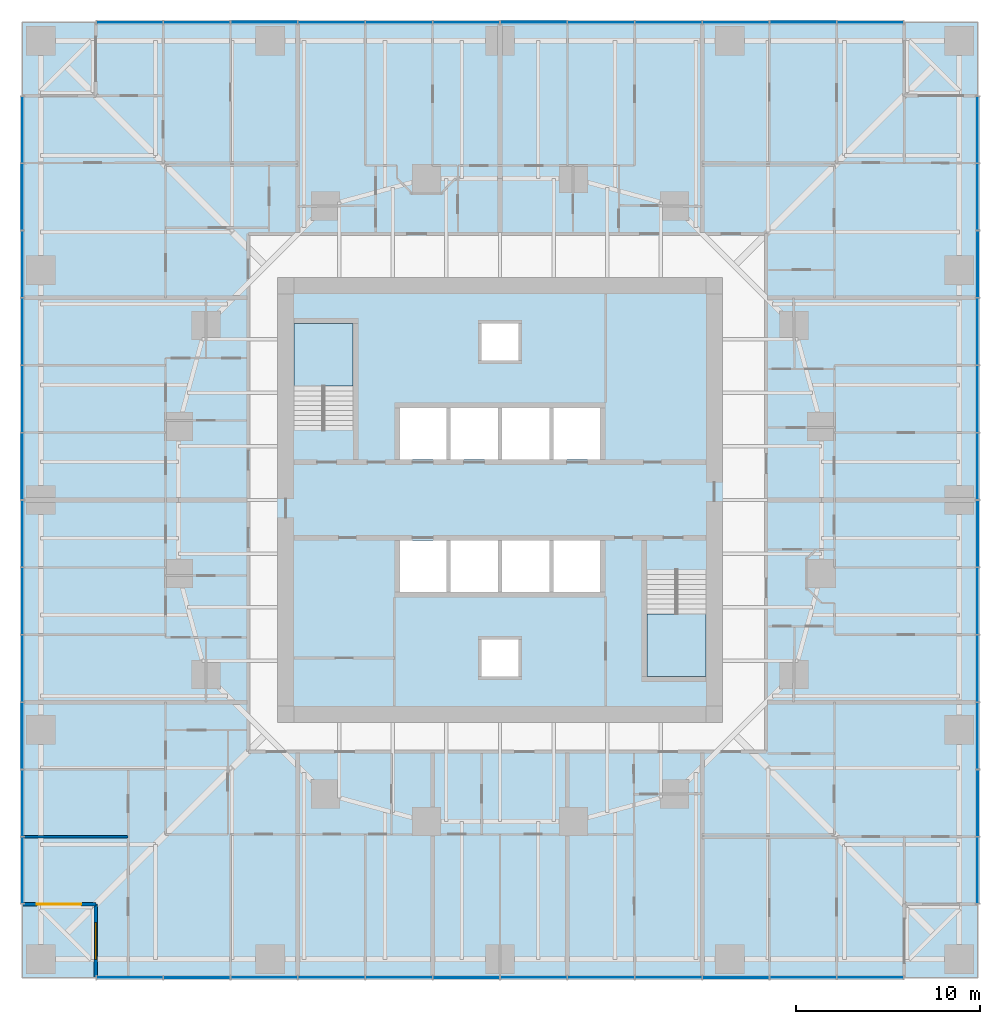
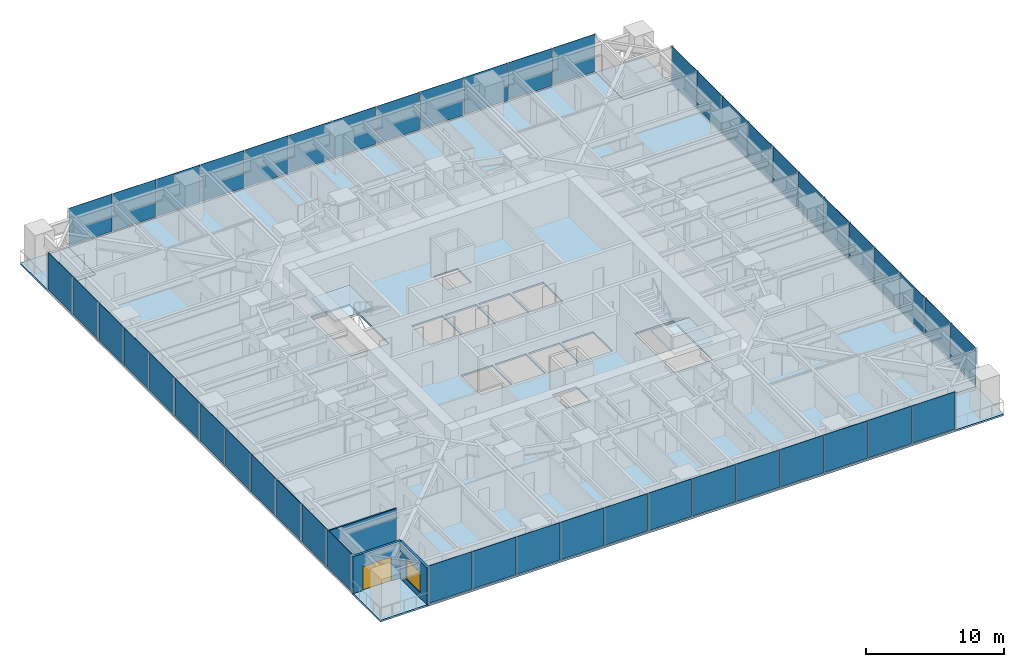
# One storey, part 7 of 16: 48 plates, 7 slabs, 3 walls, 1 door, 1 window, 2 openings, 6 elements without a shape of their own.
"""IFC4 building model written with IfcOpenShell, lengths in metres."""

import ifcopenshell
import ifcopenshell.guid

model = None  # the IFC model being written
_history = None  # IfcOwnerHistory: only IFC2X3 demands one
_inside = {}  # id of a spatial element -> (the spatial element, [elements in it])
_under = {}  # id of a project, library or spatial element -> (it, [spatial elements below it])
_declared = {}  # id of a project -> (the project, [libraries it declares])
_typed = {}  # id of a type object -> (the type object, [elements of that type])
_made_of = {}  # id of a material, layer set ... -> (it, [elements and type objects made of it])


def new_model(schema):
    """Start an empty IFC model of exactly this schema.

    Asked for "IFC4X3", IfcOpenShell would pick the latest addendum, in which some entities
    have other attributes; the version numbers below select the first issue.
    IFC2X3 requires an IfcOwnerHistory on every rooted entity: one is made here for all.
    """
    global model, _history
    if schema == "IFC4X3":
        model = ifcopenshell.file(schema_version=(4, 3, 0, 0))
    else:
        model = ifcopenshell.file(schema=schema)
    _inside.clear()
    _under.clear()
    _declared.clear()
    _typed.clear()
    _made_of.clear()
    _history = None
    if model.schema == "IFC2X3":
        org = make("IfcOrganization", Name="unknown")
        user = make(
            "IfcPersonAndOrganization",
            ThePerson=make("IfcPerson", FamilyName="unknown"),
            TheOrganization=org,
        )
        app = make(
            "IfcApplication",
            ApplicationDeveloper=org,
            Version="unknown",
            ApplicationFullName="unknown",
            ApplicationIdentifier="unknown",
        )
        _history = make(
            "IfcOwnerHistory",
            OwningUser=user,
            OwningApplication=app,
            ChangeAction="ADDED",
            CreationDate=0,
        )
    return model


def make(cls, **values):
    """One entity of the class cls with the attributes given. An attribute that is None is left unset."""
    return model.create_entity(
        cls, **{name: value for name, value in values.items() if value is not None}
    )


def rooted(cls, **values):
    """An entity with a GlobalId (a new one), such as an element, a storey or a relation."""
    return make(cls, GlobalId=ifcopenshell.guid.new(), OwnerHistory=_history, **values)


def si_unit(unit_type, name, prefix=None):
    """IfcSIUnit, for example si_unit("LENGTHUNIT", "METRE", prefix="MILLI")."""
    return make("IfcSIUnit", UnitType=unit_type, Prefix=prefix, Name=name)


def assignment(units):
    """IfcUnitAssignment: the units of a project."""
    return None if units is None else make("IfcUnitAssignment", Units=units)


def point(xyz):
    """IfcCartesianPoint."""
    return None if xyz is None else make("IfcCartesianPoint", Coordinates=xyz)


def direction(xyz):
    """IfcDirection."""
    return None if xyz is None else make("IfcDirection", DirectionRatios=xyz)


def frame(location, z_axis=None, x_axis=None):
    """IfcAxis2Placement3D, a coordinate frame: its origin and axes. An axis left out is left unset."""
    return make(
        "IfcAxis2Placement3D",
        Location=point(location),
        Axis=direction(z_axis),
        RefDirection=direction(x_axis),
    )


def frame_2d(location, x_axis=None):
    """IfcAxis2Placement2D, a coordinate frame in the plane: its origin and x axis."""
    return make(
        "IfcAxis2Placement2D", Location=point(location), RefDirection=direction(x_axis)
    )


def origin():
    """The frame at (0, 0, 0) with its axes left unset."""
    return frame((0.0, 0.0, 0.0))


def origin_2d():
    """The frame at (0, 0) in the plane with its x axis left unset."""
    return frame_2d((0.0, 0.0))


def place(relative_to, where):
    """IfcLocalPlacement: puts the frame where relative to a parent placement (None: the world)."""
    return make(
        "IfcLocalPlacement", PlacementRelTo=relative_to, RelativePlacement=where
    )


def context(
    kind, dimensions, precision=None, world=None, true_north=None, identifier=None
):
    """IfcGeometricRepresentationContext, for example the 3D "Model" context."""
    return make(
        "IfcGeometricRepresentationContext",
        ContextIdentifier=identifier,
        ContextType=kind,
        CoordinateSpaceDimension=dimensions,
        Precision=precision,
        WorldCoordinateSystem=world,
        TrueNorth=true_north,
    )


def subcontext(parent, identifier, kind, view, scale=None):
    """IfcGeometricRepresentationSubContext, for example "Body" below "Model"."""
    return make(
        "IfcGeometricRepresentationSubContext",
        ContextIdentifier=identifier,
        ContextType=kind,
        ParentContext=parent,
        TargetScale=scale,
        TargetView=view,
    )


def project(units=None, contexts=None):
    """IfcProject with its units and contexts."""
    return rooted(
        "IfcProject",
        Name="project",
        RepresentationContexts=contexts,
        UnitsInContext=assignment(units),
    )


def spatial(cls, under=None, at=None, **own):
    """A site, building, storey or space (cls), placed at a placement, below another one or the project."""
    s = rooted(cls, ObjectPlacement=at, **own)
    if under is not None:
        _under.setdefault(under.id(), (under, []))[1].append(s)
    return s


def polyline(points):
    """IfcPolyline through the points."""
    return make("IfcPolyline", Points=[point(p) for p in points])


def profile(cls, at=None, kind="AREA", **sizes):
    """A parametric profile (cls). Its sizes go by their IFC names, for example OverallWidth=200.0."""
    return make(cls, ProfileType=kind, Position=at, **sizes)


def rectangle(**sizes):
    """IfcRectangleProfileDef."""
    return profile("IfcRectangleProfileDef", **sizes)


def outline(outer, holes=None, kind="AREA"):
    """IfcArbitraryClosedProfileDef: a profile drawn as a closed curve; with holes, ...WithVoids."""
    if holes is None:
        return make("IfcArbitraryClosedProfileDef", ProfileType=kind, OuterCurve=outer)
    return make(
        "IfcArbitraryProfileDefWithVoids",
        ProfileType=kind,
        OuterCurve=outer,
        InnerCurves=holes,
    )


def extrude(swept, where, along, depth):
    """IfcExtrudedAreaSolid: the profile swept, set in the frame where, extruded along a direction by depth."""
    return make(
        "IfcExtrudedAreaSolid",
        SweptArea=swept,
        Position=where,
        ExtrudedDirection=direction(along),
        Depth=depth,
    )


def shape(context_of_items, identifier, shape_type, items):
    """IfcShapeRepresentation: the items that make up one representation, for example the "Body"."""
    return make(
        "IfcShapeRepresentation",
        ContextOfItems=context_of_items,
        RepresentationIdentifier=identifier,
        RepresentationType=shape_type,
        Items=items,
    )


def material(Name=None, Category=None):
    """IfcMaterial."""
    return make("IfcMaterial", Name=Name, Category=Category)


def layer(
    of_material, thickness, ventilated=None, Name=None, Category=None, Priority=None
):
    """IfcMaterialLayer: one layer of a wall or slab, of a material (None: an air gap)."""
    return make(
        "IfcMaterialLayer",
        Material=of_material,
        LayerThickness=thickness,
        IsVentilated=ventilated,
        Name=Name,
        Category=Category,
        Priority=Priority,
    )


def layer_set(layers, Name=None):
    """IfcMaterialLayerSet."""
    return make("IfcMaterialLayerSet", MaterialLayers=layers, LayerSetName=Name)


def made_of(thing, what):
    """Note that an element or type object is made of a material, layer set ...; save() writes the relation."""
    if what is not None:
        _made_of.setdefault(what.id(), (what, []))[1].append(thing)
    return thing


def type_object(cls, material=None, **own):
    """A type object (cls), such as IfcWallType, which elements share."""
    return made_of(rooted(cls, **own), material)


def element(
    cls,
    number,
    at=None,
    inside=None,
    cuts=None,
    type_object=None,
    material=None,
    context=None,
    identifier="Body",
    shape_type=None,
    held_by="IfcProductDefinitionShape",
    body=None,
    shapes=None,
    **own,
):
    """One element of the class cls, such as IfcWall. Its Tag is "e" and its number.

    at: its placement. inside: the storey or other place that contains it. cuts: it is an
    opening in that element (IfcRelVoidsElement). A single representation is given by context,
    identifier, shape_type and body (its items); several are given by shapes. held_by: the class
    of the entity that holds the representations. save() writes the other relations.
    """
    e = rooted(cls, Tag="e%d" % number, ObjectPlacement=at, **own)
    if body is not None:
        shapes = [shape(context, identifier, shape_type, body)]
    if shapes is not None:
        e.Representation = make(held_by, Representations=shapes)
    if inside is not None:
        _inside.setdefault(inside.id(), (inside, []))[1].append(e)
    if cuts is not None:
        rooted(
            "IfcRelVoidsElement", RelatingBuildingElement=cuts, RelatedOpeningElement=e
        )
    if type_object is not None:
        _typed.setdefault(type_object.id(), (type_object, []))[1].append(e)
    return made_of(e, material)


def fill(opening, filler):
    """IfcRelFillsElement: the door or window that sits in an opening."""
    return rooted(
        "IfcRelFillsElement",
        RelatingOpeningElement=opening,
        RelatedBuildingElement=filler,
    )


def aggregate(whole, parts):
    """IfcRelAggregates: a whole, such as a stair, and the parts it consists of."""
    return rooted("IfcRelAggregates", RelatingObject=whole, RelatedObjects=parts)


def save(model, path):
    """Write the relations noted so far, then the file.

    IfcRelAggregates (storeys below a building ...), IfcRelContainedInSpatialStructure (elements
    in a storey), IfcRelDefinesByType, IfcRelAssociatesMaterial and IfcRelDeclares: one each for
    every whole, place, type object, material and project.
    """
    for whole, parts in _under.values():
        aggregate(whole, parts)
    for where, things in _inside.values():
        rooted(
            "IfcRelContainedInSpatialStructure",
            RelatedElements=things,
            RelatingStructure=where,
        )
    for kind, things in _typed.values():
        rooted("IfcRelDefinesByType", RelatedObjects=things, RelatingType=kind)
    for what, things in _made_of.values():
        rooted("IfcRelAssociatesMaterial", RelatedObjects=things, RelatingMaterial=what)
    for by, libraries in _declared.values():
        rooted("IfcRelDeclares", RelatingContext=by, RelatedDefinitions=libraries)
    model.write(path)


model = new_model("IFC4")

# Units and contexts
model_context = context("Model", 3, precision=1e-05, world=origin(), true_north=direction((0.0, 1.0)))
body_context = subcontext(model_context, "Body", "Model", "MODEL_VIEW")
ifc_project = project(units=[si_unit("LENGTHUNIT", "METRE"), si_unit("AREAUNIT", "SQUARE_METRE"), si_unit("VOLUMEUNIT", "CUBIC_METRE"), si_unit("PLANEANGLEUNIT", "RADIAN"), si_unit("MASSUNIT", "GRAM", prefix="KILO")], contexts=[model_context])

# Site, building, storey
site_placement = place(None, origin())
site = spatial("IfcSite", under=ifc_project, at=site_placement, CompositionType="ELEMENT")
building_placement = place(site_placement, origin())
building = spatial("IfcBuilding", under=site, at=building_placement, Name="Torsade Residences", CompositionType="ELEMENT")
storey_placement = place(building_placement, frame((0.0, 0.0, 35.39990234375)))
storey = spatial("IfcBuildingStorey", under=building, at=storey_placement, Name="L09", CompositionType="ELEMENT", Elevation=35.39990234375)

# Slab
ifc_material_1 = material(Name="Concrete 40 MPa", Category="concrete")
ifc_layer_1 = layer(ifc_material_1, 0.14990234375)
ifc_layer_set_1 = layer_set([ifc_layer_1], Name="Concrete 40 MPa")
slab_type_1 = type_object("IfcSlabType", Name="COMPOSITE FLOOR SLAB 150", PredefinedType="FLOOR", material=ifc_layer_set_1)
slab_1_placement = place(storey_placement, frame((0.0, 0.0, -0.14990234375)))
element("IfcSlab", 1, at=slab_1_placement, inside=storey, type_object=slab_type_1, Name="Floor slab L09", PredefinedType="FLOOR", context=body_context, shape_type="SweptSolid", body=[
    extrude(outline(polyline([(18.0, 4.0), (62.0, 4.0), (62.0, 8.0), (66.0, 8.0), (66.0, 52.0), (62.0, 52.0), (62.0, 56.0), (18.0, 56.0), (18.0, 52.0), (14.0, 52.0), (14.0, 8.0), (18.0, 8.0), (18.0, 4.0)]), holes=[polyline([(51.199951171875, 20.39990234375), (51.199951171875, 26.1201171875), (48.0, 26.1201171875), (48.0, 20.39990234375), (51.199951171875, 20.39990234375)]), polyline([(45.5, 27.800048828125), (42.89990234375, 27.800048828125), (42.89990234375, 25.0), (45.5, 25.0), (45.5, 27.800048828125)]), polyline([(45.5, 32.199951171875), (45.5, 35.0), (42.89990234375, 35.0), (42.89990234375, 32.199951171875), (45.5, 32.199951171875)]), polyline([(42.699951171875, 25.0), (42.699951171875, 27.800048828125), (40.10009765625, 27.800048828125), (40.10009765625, 25.0), (42.699951171875, 25.0)]), polyline([(42.699951171875, 32.199951171875), (42.699951171875, 35.0), (40.10009765625, 35.0), (40.10009765625, 32.199951171875), (42.699951171875, 32.199951171875)]), polyline([(41.0, 22.39990234375), (39.0, 22.39990234375), (39.0, 20.39990234375), (41.0, 20.39990234375), (41.0, 22.39990234375)]), polyline([(41.0, 37.60009765625), (41.0, 39.60009765625), (39.0, 39.60009765625), (39.0, 37.60009765625), (41.0, 37.60009765625)]), polyline([(39.89990234375, 25.0), (39.89990234375, 27.800048828125), (37.300048828125, 27.800048828125), (37.300048828125, 25.0), (39.89990234375, 25.0)]), polyline([(39.89990234375, 35.0), (37.300048828125, 35.0), (37.300048828125, 32.199951171875), (39.89990234375, 32.199951171875), (39.89990234375, 35.0)]), polyline([(37.10009765625, 27.800048828125), (34.5, 27.800048828125), (34.5, 25.0), (37.10009765625, 25.0), (37.10009765625, 27.800048828125)]), polyline([(37.10009765625, 32.199951171875), (37.10009765625, 35.0), (34.5, 35.0), (34.5, 32.199951171875), (37.10009765625, 32.199951171875)]), polyline([(32.0, 33.8798828125), (32.0, 39.60009765625), (28.800048828125, 39.60009765625), (28.800048828125, 33.8798828125), (32.0, 33.8798828125)])]), origin(), (0.0, 0.0, 1.0), 0.14990234375),
])

# Curtain wall, plates
ifc_material_2 = material(Name="Aluminium and glass", Category="aluminium")
curtain_wall_type = type_object("IfcCurtainWallType", Name="FRITTED GLASS CURTAIN WALL LOW ZONE", PredefinedType="NOTDEFINED", material=ifc_material_2)
curtain_wall_1_placement = place(storey_placement, origin())
curtain_wall_1 = element("IfcCurtainWall", 2, at=curtain_wall_1_placement, inside=storey, type_object=curtain_wall_type, Name="Curtain wall L09 face 1", PredefinedType="NOTDEFINED")
ifc_material_3 = material(Name="Laminated glass", Category="glass")
ifc_layer_2 = layer(ifc_material_3, 0.031982421875)
ifc_layer_set_2 = layer_set([ifc_layer_2], Name="Laminated glass")
plate_type_1 = type_object("IfcPlateType", Name="FRITTED GLASS PANEL", PredefinedType="CURTAIN_PANEL", material=ifc_layer_set_2)
plate_1_placement = place(storey_placement, frame((19.849609375, 4.0, 0.10009765625), z_axis=(0.0, 0.0, 1.0), x_axis=(1.0, 0.0, 0.0)))
plate_1 = element("IfcPlate", 3, at=plate_1_placement, type_object=plate_type_1, Name="Panel 1", PredefinedType="CURTAIN_PANEL", context=body_context, shape_type="SweptSolid", body=[
    extrude(rectangle(XDim=3.569091796875, YDim=0.031982421875, at=origin_2d()), origin(), (0.0, 0.0, 1.0), 3.300048828125),
])
plate_2_placement = place(storey_placement, frame((27.166748046875, 4.0, 0.10009765625), z_axis=(0.0, 0.0, 1.0), x_axis=(1.0, 0.0, 0.0)))
plate_2 = element("IfcPlate", 4, at=plate_2_placement, type_object=plate_type_1, Name="Panel 3", PredefinedType="CURTAIN_PANEL", context=body_context, shape_type="SweptSolid", body=[
    extrude(rectangle(XDim=3.6015625, YDim=0.031982421875, at=origin_2d()), origin(), (0.0, 0.0, 1.0), 3.300048828125),
])
plate_3_placement = place(storey_placement, frame((30.833251953125, 4.0, 0.10009765625), z_axis=(0.0, 0.0, 1.0), x_axis=(1.0, 0.0, 0.0)))
plate_3 = element("IfcPlate", 5, at=plate_3_placement, type_object=plate_type_1, Name="Panel 4", PredefinedType="CURTAIN_PANEL", context=body_context, shape_type="SweptSolid", body=[
    extrude(rectangle(XDim=3.6015625, YDim=0.031982421875, at=origin_2d()), origin(), (0.0, 0.0, 1.0), 3.300048828125),
])
plate_4_placement = place(storey_placement, frame((34.5, 4.0, 0.10009765625), z_axis=(0.0, 0.0, 1.0), x_axis=(1.0, 0.0, 0.0)))
plate_4 = element("IfcPlate", 6, at=plate_4_placement, type_object=plate_type_1, Name="Panel 5", PredefinedType="CURTAIN_PANEL", context=body_context, shape_type="SweptSolid", body=[
    extrude(rectangle(XDim=3.6015625, YDim=0.031982421875, at=origin_2d()), origin(), (0.0, 0.0, 1.0), 3.300048828125),
])
plate_5_placement = place(storey_placement, frame((41.833251953125, 4.0, 0.10009765625), z_axis=(0.0, 0.0, 1.0), x_axis=(1.0, 0.0, 0.0)))
plate_5 = element("IfcPlate", 7, at=plate_5_placement, type_object=plate_type_1, Name="Panel 7", PredefinedType="CURTAIN_PANEL", context=body_context, shape_type="SweptSolid", body=[
    extrude(rectangle(XDim=3.6015625, YDim=0.031982421875, at=origin_2d()), origin(), (0.0, 0.0, 1.0), 3.300048828125),
])
plate_6_placement = place(storey_placement, frame((45.5, 4.0, 0.10009765625), z_axis=(0.0, 0.0, 1.0), x_axis=(1.0, 0.0, 0.0)))
plate_6 = element("IfcPlate", 8, at=plate_6_placement, type_object=plate_type_1, Name="Panel 8", PredefinedType="CURTAIN_PANEL", context=body_context, shape_type="SweptSolid", body=[
    extrude(rectangle(XDim=3.6015625, YDim=0.031982421875, at=origin_2d()), origin(), (0.0, 0.0, 1.0), 3.300048828125),
])
plate_7_placement = place(storey_placement, frame((49.166748046875, 4.0, 0.10009765625), z_axis=(0.0, 0.0, 1.0), x_axis=(1.0, 0.0, 0.0)))
plate_7 = element("IfcPlate", 9, at=plate_7_placement, type_object=plate_type_1, Name="Panel 9", PredefinedType="CURTAIN_PANEL", context=body_context, shape_type="SweptSolid", body=[
    extrude(rectangle(XDim=3.6015625, YDim=0.031982421875, at=origin_2d()), origin(), (0.0, 0.0, 1.0), 3.300048828125),
])
plate_8_placement = place(storey_placement, frame((56.5, 4.0, 0.10009765625), z_axis=(0.0, 0.0, 1.0), x_axis=(1.0, 0.0, 0.0)))
plate_8 = element("IfcPlate", 10, at=plate_8_placement, type_object=plate_type_1, Name="Panel 11", PredefinedType="CURTAIN_PANEL", context=body_context, shape_type="SweptSolid", body=[
    extrude(rectangle(XDim=3.6015625, YDim=0.031982421875, at=origin_2d()), origin(), (0.0, 0.0, 1.0), 3.300048828125),
])
plate_9_placement = place(storey_placement, frame((60.150390625, 4.0, 0.10009765625), z_axis=(0.0, 0.0, 1.0), x_axis=(1.0, 0.0, 0.0)))
plate_9 = element("IfcPlate", 11, at=plate_9_placement, type_object=plate_type_1, Name="Panel 12", PredefinedType="CURTAIN_PANEL", context=body_context, shape_type="SweptSolid", body=[
    extrude(rectangle(XDim=3.569091796875, YDim=0.031982421875, at=origin_2d()), origin(), (0.0, 0.0, 1.0), 3.300048828125),
])

curtain_wall_2_placement = place(storey_placement, origin())
curtain_wall_2 = element("IfcCurtainWall", 12, at=curtain_wall_2_placement, inside=storey, type_object=curtain_wall_type, Name="Curtain wall L09 face 4", PredefinedType="NOTDEFINED")
plate_10_placement = place(storey_placement, frame((66.0, 9.849609375, 0.10009765625), z_axis=(0.0, 0.0, 1.0), x_axis=(0.0, 1.0, 0.0)))
plate_10 = element("IfcPlate", 13, at=plate_10_placement, type_object=plate_type_1, Name="Panel 1", PredefinedType="CURTAIN_PANEL", context=body_context, shape_type="SweptSolid", body=[
    extrude(rectangle(XDim=3.569091796875, YDim=0.031982421875, at=origin_2d()), origin(), (0.0, 0.0, 1.0), 3.300048828125),
])
plate_11_placement = place(storey_placement, frame((66.0, 17.166748046875, 0.10009765625), z_axis=(0.0, 0.0, 1.0), x_axis=(0.0, 1.0, 0.0)))
plate_11 = element("IfcPlate", 14, at=plate_11_placement, type_object=plate_type_1, Name="Panel 3", PredefinedType="CURTAIN_PANEL", context=body_context, shape_type="SweptSolid", body=[
    extrude(rectangle(XDim=3.6015625, YDim=0.031982421875, at=origin_2d()), origin(), (0.0, 0.0, 1.0), 3.300048828125),
])
plate_12_placement = place(storey_placement, frame((66.0, 20.833251953125, 0.10009765625), z_axis=(0.0, 0.0, 1.0), x_axis=(0.0, 1.0, 0.0)))
plate_12 = element("IfcPlate", 15, at=plate_12_placement, type_object=plate_type_1, Name="Panel 4", PredefinedType="CURTAIN_PANEL", context=body_context, shape_type="SweptSolid", body=[
    extrude(rectangle(XDim=3.6015625, YDim=0.031982421875, at=origin_2d()), origin(), (0.0, 0.0, 1.0), 3.300048828125),
])
plate_13_placement = place(storey_placement, frame((66.0, 24.5, 0.10009765625), z_axis=(0.0, 0.0, 1.0), x_axis=(0.0, 1.0, 0.0)))
plate_13 = element("IfcPlate", 16, at=plate_13_placement, type_object=plate_type_1, Name="Panel 5", PredefinedType="CURTAIN_PANEL", context=body_context, shape_type="SweptSolid", body=[
    extrude(rectangle(XDim=3.6015625, YDim=0.031982421875, at=origin_2d()), origin(), (0.0, 0.0, 1.0), 3.300048828125),
])
plate_14_placement = place(storey_placement, frame((66.0, 31.833251953125, 0.10009765625), z_axis=(0.0, 0.0, 1.0), x_axis=(0.0, 1.0, 0.0)))
plate_14 = element("IfcPlate", 17, at=plate_14_placement, type_object=plate_type_1, Name="Panel 7", PredefinedType="CURTAIN_PANEL", context=body_context, shape_type="SweptSolid", body=[
    extrude(rectangle(XDim=3.6015625, YDim=0.031982421875, at=origin_2d()), origin(), (0.0, 0.0, 1.0), 3.300048828125),
])
plate_15_placement = place(storey_placement, frame((66.0, 35.5, 0.10009765625), z_axis=(0.0, 0.0, 1.0), x_axis=(0.0, 1.0, 0.0)))
plate_15 = element("IfcPlate", 18, at=plate_15_placement, type_object=plate_type_1, Name="Panel 8", PredefinedType="CURTAIN_PANEL", context=body_context, shape_type="SweptSolid", body=[
    extrude(rectangle(XDim=3.6015625, YDim=0.031982421875, at=origin_2d()), origin(), (0.0, 0.0, 1.0), 3.300048828125),
])
plate_16_placement = place(storey_placement, frame((66.0, 39.166748046875, 0.10009765625), z_axis=(0.0, 0.0, 1.0), x_axis=(0.0, 1.0, 0.0)))
plate_16 = element("IfcPlate", 19, at=plate_16_placement, type_object=plate_type_1, Name="Panel 9", PredefinedType="CURTAIN_PANEL", context=body_context, shape_type="SweptSolid", body=[
    extrude(rectangle(XDim=3.6015625, YDim=0.031982421875, at=origin_2d()), origin(), (0.0, 0.0, 1.0), 3.300048828125),
])
plate_17_placement = place(storey_placement, frame((66.0, 46.5, 0.10009765625), z_axis=(0.0, 0.0, 1.0), x_axis=(0.0, 1.0, 0.0)))
plate_17 = element("IfcPlate", 20, at=plate_17_placement, type_object=plate_type_1, Name="Panel 11", PredefinedType="CURTAIN_PANEL", context=body_context, shape_type="SweptSolid", body=[
    extrude(rectangle(XDim=3.6015625, YDim=0.031982421875, at=origin_2d()), origin(), (0.0, 0.0, 1.0), 3.300048828125),
])
plate_18_placement = place(storey_placement, frame((66.0, 50.150390625, 0.10009765625), z_axis=(0.0, 0.0, 1.0), x_axis=(0.0, 1.0, 0.0)))
plate_18 = element("IfcPlate", 21, at=plate_18_placement, type_object=plate_type_1, Name="Panel 12", PredefinedType="CURTAIN_PANEL", context=body_context, shape_type="SweptSolid", body=[
    extrude(rectangle(XDim=3.569091796875, YDim=0.031982421875, at=origin_2d()), origin(), (0.0, 0.0, 1.0), 3.300048828125),
])

curtain_wall_3_placement = place(storey_placement, origin())
curtain_wall_3 = element("IfcCurtainWall", 22, at=curtain_wall_3_placement, inside=storey, type_object=curtain_wall_type, Name="Curtain wall L09 face 7", PredefinedType="NOTDEFINED")
plate_19_placement = place(storey_placement, frame((60.150390625, 56.0, 0.10009765625), z_axis=(0.0, 0.0, 1.0), x_axis=(-1.0, 0.0, 0.0)))
plate_19 = element("IfcPlate", 23, at=plate_19_placement, type_object=plate_type_1, Name="Panel 1", PredefinedType="CURTAIN_PANEL", context=body_context, shape_type="SweptSolid", body=[
    extrude(rectangle(XDim=3.569091796875, YDim=0.031982421875, at=origin_2d()), origin(), (0.0, 0.0, 1.0), 3.300048828125),
])
plate_20_placement = place(storey_placement, frame((52.833251953125, 56.0, 0.10009765625), z_axis=(0.0, 0.0, 1.0), x_axis=(-1.0, 0.0, 0.0)))
plate_20 = element("IfcPlate", 24, at=plate_20_placement, type_object=plate_type_1, Name="Panel 3", PredefinedType="CURTAIN_PANEL", context=body_context, shape_type="SweptSolid", body=[
    extrude(rectangle(XDim=3.6015625, YDim=0.031982421875, at=origin_2d()), origin(), (0.0, 0.0, 1.0), 3.300048828125),
])
plate_21_placement = place(storey_placement, frame((49.166748046875, 56.0, 0.10009765625), z_axis=(0.0, 0.0, 1.0), x_axis=(-1.0, 0.0, 0.0)))
plate_21 = element("IfcPlate", 25, at=plate_21_placement, type_object=plate_type_1, Name="Panel 4", PredefinedType="CURTAIN_PANEL", context=body_context, shape_type="SweptSolid", body=[
    extrude(rectangle(XDim=3.6015625, YDim=0.031982421875, at=origin_2d()), origin(), (0.0, 0.0, 1.0), 3.300048828125),
])
plate_22_placement = place(storey_placement, frame((45.5, 56.0, 0.10009765625), z_axis=(0.0, 0.0, 1.0), x_axis=(-1.0, 0.0, 0.0)))
plate_22 = element("IfcPlate", 26, at=plate_22_placement, type_object=plate_type_1, Name="Panel 5", PredefinedType="CURTAIN_PANEL", context=body_context, shape_type="SweptSolid", body=[
    extrude(rectangle(XDim=3.6015625, YDim=0.031982421875, at=origin_2d()), origin(), (0.0, 0.0, 1.0), 3.300048828125),
])
plate_23_placement = place(storey_placement, frame((38.166748046875, 56.0, 0.10009765625), z_axis=(0.0, 0.0, 1.0), x_axis=(-1.0, 0.0, 0.0)))
plate_23 = element("IfcPlate", 27, at=plate_23_placement, type_object=plate_type_1, Name="Panel 7", PredefinedType="CURTAIN_PANEL", context=body_context, shape_type="SweptSolid", body=[
    extrude(rectangle(XDim=3.6015625, YDim=0.031982421875, at=origin_2d()), origin(), (0.0, 0.0, 1.0), 3.300048828125),
])
plate_24_placement = place(storey_placement, frame((34.5, 56.0, 0.10009765625), z_axis=(0.0, 0.0, 1.0), x_axis=(-1.0, 0.0, 0.0)))
plate_24 = element("IfcPlate", 28, at=plate_24_placement, type_object=plate_type_1, Name="Panel 8", PredefinedType="CURTAIN_PANEL", context=body_context, shape_type="SweptSolid", body=[
    extrude(rectangle(XDim=3.6015625, YDim=0.031982421875, at=origin_2d()), origin(), (0.0, 0.0, 1.0), 3.300048828125),
])
plate_25_placement = place(storey_placement, frame((30.833251953125, 56.0, 0.10009765625), z_axis=(0.0, 0.0, 1.0), x_axis=(-1.0, 0.0, 0.0)))
plate_25 = element("IfcPlate", 29, at=plate_25_placement, type_object=plate_type_1, Name="Panel 9", PredefinedType="CURTAIN_PANEL", context=body_context, shape_type="SweptSolid", body=[
    extrude(rectangle(XDim=3.6015625, YDim=0.031982421875, at=origin_2d()), origin(), (0.0, 0.0, 1.0), 3.300048828125),
])
plate_26_placement = place(storey_placement, frame((23.5, 56.0, 0.10009765625), z_axis=(0.0, 0.0, 1.0), x_axis=(-1.0, 0.0, 0.0)))
plate_26 = element("IfcPlate", 30, at=plate_26_placement, type_object=plate_type_1, Name="Panel 11", PredefinedType="CURTAIN_PANEL", context=body_context, shape_type="SweptSolid", body=[
    extrude(rectangle(XDim=3.6015625, YDim=0.031982421875, at=origin_2d()), origin(), (0.0, 0.0, 1.0), 3.300048828125),
])
plate_27_placement = place(storey_placement, frame((19.849609375, 56.0, 0.10009765625), z_axis=(0.0, 0.0, 1.0), x_axis=(-1.0, 0.0, 0.0)))
plate_27 = element("IfcPlate", 31, at=plate_27_placement, type_object=plate_type_1, Name="Panel 12", PredefinedType="CURTAIN_PANEL", context=body_context, shape_type="SweptSolid", body=[
    extrude(rectangle(XDim=3.569091796875, YDim=0.031982421875, at=origin_2d()), origin(), (0.0, 0.0, 1.0), 3.300048828125),
])

curtain_wall_4_placement = place(storey_placement, origin())
curtain_wall_4 = element("IfcCurtainWall", 32, at=curtain_wall_4_placement, inside=storey, type_object=curtain_wall_type, Name="Curtain wall L09 face 10", PredefinedType="NOTDEFINED")
plate_28_placement = place(storey_placement, frame((14.0, 50.150390625, 0.10009765625), z_axis=(0.0, 0.0, 1.0), x_axis=(0.0, -1.0, 0.0)))
plate_28 = element("IfcPlate", 33, at=plate_28_placement, type_object=plate_type_1, Name="Panel 1", PredefinedType="CURTAIN_PANEL", context=body_context, shape_type="SweptSolid", body=[
    extrude(rectangle(XDim=3.569091796875, YDim=0.031982421875, at=origin_2d()), origin(), (0.0, 0.0, 1.0), 3.300048828125),
])
plate_29_placement = place(storey_placement, frame((14.0, 42.833251953125, 0.10009765625), z_axis=(0.0, 0.0, 1.0), x_axis=(0.0, -1.0, 0.0)))
plate_29 = element("IfcPlate", 34, at=plate_29_placement, type_object=plate_type_1, Name="Panel 3", PredefinedType="CURTAIN_PANEL", context=body_context, shape_type="SweptSolid", body=[
    extrude(rectangle(XDim=3.6015625, YDim=0.031982421875, at=origin_2d()), origin(), (0.0, 0.0, 1.0), 3.300048828125),
])
plate_30_placement = place(storey_placement, frame((14.0, 39.166748046875, 0.10009765625), z_axis=(0.0, 0.0, 1.0), x_axis=(0.0, -1.0, 0.0)))
plate_30 = element("IfcPlate", 35, at=plate_30_placement, type_object=plate_type_1, Name="Panel 4", PredefinedType="CURTAIN_PANEL", context=body_context, shape_type="SweptSolid", body=[
    extrude(rectangle(XDim=3.6015625, YDim=0.031982421875, at=origin_2d()), origin(), (0.0, 0.0, 1.0), 3.300048828125),
])
plate_31_placement = place(storey_placement, frame((14.0, 35.5, 0.10009765625), z_axis=(0.0, 0.0, 1.0), x_axis=(0.0, -1.0, 0.0)))
plate_31 = element("IfcPlate", 36, at=plate_31_placement, type_object=plate_type_1, Name="Panel 5", PredefinedType="CURTAIN_PANEL", context=body_context, shape_type="SweptSolid", body=[
    extrude(rectangle(XDim=3.6015625, YDim=0.031982421875, at=origin_2d()), origin(), (0.0, 0.0, 1.0), 3.300048828125),
])
plate_32_placement = place(storey_placement, frame((14.0, 28.166748046875, 0.10009765625), z_axis=(0.0, 0.0, 1.0), x_axis=(0.0, -1.0, 0.0)))
plate_32 = element("IfcPlate", 37, at=plate_32_placement, type_object=plate_type_1, Name="Panel 7", PredefinedType="CURTAIN_PANEL", context=body_context, shape_type="SweptSolid", body=[
    extrude(rectangle(XDim=3.6015625, YDim=0.031982421875, at=origin_2d()), origin(), (0.0, 0.0, 1.0), 3.300048828125),
])
plate_33_placement = place(storey_placement, frame((14.0, 24.5, 0.10009765625), z_axis=(0.0, 0.0, 1.0), x_axis=(0.0, -1.0, 0.0)))
plate_33 = element("IfcPlate", 38, at=plate_33_placement, type_object=plate_type_1, Name="Panel 8", PredefinedType="CURTAIN_PANEL", context=body_context, shape_type="SweptSolid", body=[
    extrude(rectangle(XDim=3.6015625, YDim=0.031982421875, at=origin_2d()), origin(), (0.0, 0.0, 1.0), 3.300048828125),
])
plate_34_placement = place(storey_placement, frame((14.0, 20.833251953125, 0.10009765625), z_axis=(0.0, 0.0, 1.0), x_axis=(0.0, -1.0, 0.0)))
plate_34 = element("IfcPlate", 39, at=plate_34_placement, type_object=plate_type_1, Name="Panel 9", PredefinedType="CURTAIN_PANEL", context=body_context, shape_type="SweptSolid", body=[
    extrude(rectangle(XDim=3.6015625, YDim=0.031982421875, at=origin_2d()), origin(), (0.0, 0.0, 1.0), 3.300048828125),
])
plate_35_placement = place(storey_placement, frame((14.0, 13.5, 0.10009765625), z_axis=(0.0, 0.0, 1.0), x_axis=(0.0, -1.0, 0.0)))
plate_35 = element("IfcPlate", 40, at=plate_35_placement, type_object=plate_type_1, Name="Panel 11", PredefinedType="CURTAIN_PANEL", context=body_context, shape_type="SweptSolid", body=[
    extrude(rectangle(XDim=3.6015625, YDim=0.031982421875, at=origin_2d()), origin(), (0.0, 0.0, 1.0), 3.300048828125),
])
plate_36_placement = place(storey_placement, frame((14.0, 9.849609375, 0.10009765625), z_axis=(0.0, 0.0, 1.0), x_axis=(0.0, -1.0, 0.0)))
plate_36 = element("IfcPlate", 41, at=plate_36_placement, type_object=plate_type_1, Name="Panel 12", PredefinedType="CURTAIN_PANEL", context=body_context, shape_type="SweptSolid", body=[
    extrude(rectangle(XDim=3.569091796875, YDim=0.031982421875, at=origin_2d()), origin(), (0.0, 0.0, 1.0), 3.300048828125),
])

# Plate
ifc_material_4 = material(Name="Laminated glass", Category="glass")
ifc_layer_3 = layer(ifc_material_4, 0.0400390625)
ifc_layer_set_3 = layer_set([ifc_layer_3], Name="Laminated glass")
plate_type_2 = type_object("IfcPlateType", Name="OPERABLE VENT PANEL", PredefinedType="CURTAIN_PANEL", material=ifc_layer_set_3)
plate_37_placement = place(storey_placement, frame((23.5, 4.0, 0.10009765625), z_axis=(0.0, 0.0, 1.0), x_axis=(1.0, 0.0, 0.0)))
plate_37 = element("IfcPlate", 42, at=plate_37_placement, type_object=plate_type_2, Name="Panel 2", PredefinedType="CURTAIN_PANEL", context=body_context, shape_type="SweptSolid", body=[
    extrude(rectangle(XDim=3.6015625, YDim=0.0400390625, at=origin_2d()), origin(), (0.0, 0.0, 1.0), 3.300048828125),
])

plate_38_placement = place(storey_placement, frame((38.166748046875, 4.0, 0.10009765625), z_axis=(0.0, 0.0, 1.0), x_axis=(1.0, 0.0, 0.0)))
plate_38 = element("IfcPlate", 43, at=plate_38_placement, type_object=plate_type_2, Name="Panel 6", PredefinedType="CURTAIN_PANEL", context=body_context, shape_type="SweptSolid", body=[
    extrude(rectangle(XDim=3.6015625, YDim=0.0400390625, at=origin_2d()), origin(), (0.0, 0.0, 1.0), 3.300048828125),
])

plate_39_placement = place(storey_placement, frame((52.833251953125, 4.0, 0.10009765625), z_axis=(0.0, 0.0, 1.0), x_axis=(1.0, 0.0, 0.0)))
plate_39 = element("IfcPlate", 44, at=plate_39_placement, type_object=plate_type_2, Name="Panel 10", PredefinedType="CURTAIN_PANEL", context=body_context, shape_type="SweptSolid", body=[
    extrude(rectangle(XDim=3.6015625, YDim=0.0400390625, at=origin_2d()), origin(), (0.0, 0.0, 1.0), 3.300048828125),
])

aggregate(curtain_wall_1, [plate_1, plate_37, plate_2, plate_3, plate_4, plate_38, plate_5, plate_6, plate_7, plate_39, plate_8, plate_9])

plate_40_placement = place(storey_placement, frame((66.0, 13.5, 0.10009765625), z_axis=(0.0, 0.0, 1.0), x_axis=(0.0, 1.0, 0.0)))
plate_40 = element("IfcPlate", 45, at=plate_40_placement, type_object=plate_type_2, Name="Panel 2", PredefinedType="CURTAIN_PANEL", context=body_context, shape_type="SweptSolid", body=[
    extrude(rectangle(XDim=3.6015625, YDim=0.0400390625, at=origin_2d()), origin(), (0.0, 0.0, 1.0), 3.300048828125),
])

plate_41_placement = place(storey_placement, frame((66.0, 28.166748046875, 0.10009765625), z_axis=(0.0, 0.0, 1.0), x_axis=(0.0, 1.0, 0.0)))
plate_41 = element("IfcPlate", 46, at=plate_41_placement, type_object=plate_type_2, Name="Panel 6", PredefinedType="CURTAIN_PANEL", context=body_context, shape_type="SweptSolid", body=[
    extrude(rectangle(XDim=3.6015625, YDim=0.0400390625, at=origin_2d()), origin(), (0.0, 0.0, 1.0), 3.300048828125),
])

plate_42_placement = place(storey_placement, frame((66.0, 42.833251953125, 0.10009765625), z_axis=(0.0, 0.0, 1.0), x_axis=(0.0, 1.0, 0.0)))
plate_42 = element("IfcPlate", 47, at=plate_42_placement, type_object=plate_type_2, Name="Panel 10", PredefinedType="CURTAIN_PANEL", context=body_context, shape_type="SweptSolid", body=[
    extrude(rectangle(XDim=3.6015625, YDim=0.0400390625, at=origin_2d()), origin(), (0.0, 0.0, 1.0), 3.300048828125),
])

aggregate(curtain_wall_2, [plate_10, plate_40, plate_11, plate_12, plate_13, plate_41, plate_14, plate_15, plate_16, plate_42, plate_17, plate_18])

plate_43_placement = place(storey_placement, frame((56.5, 56.0, 0.10009765625), z_axis=(0.0, 0.0, 1.0), x_axis=(-1.0, 0.0, 0.0)))
plate_43 = element("IfcPlate", 48, at=plate_43_placement, type_object=plate_type_2, Name="Panel 2", PredefinedType="CURTAIN_PANEL", context=body_context, shape_type="SweptSolid", body=[
    extrude(rectangle(XDim=3.6015625, YDim=0.0400390625, at=origin_2d()), origin(), (0.0, 0.0, 1.0), 3.300048828125),
])

plate_44_placement = place(storey_placement, frame((41.833251953125, 56.0, 0.10009765625), z_axis=(0.0, 0.0, 1.0), x_axis=(-1.0, 0.0, 0.0)))
plate_44 = element("IfcPlate", 49, at=plate_44_placement, type_object=plate_type_2, Name="Panel 6", PredefinedType="CURTAIN_PANEL", context=body_context, shape_type="SweptSolid", body=[
    extrude(rectangle(XDim=3.6015625, YDim=0.0400390625, at=origin_2d()), origin(), (0.0, 0.0, 1.0), 3.300048828125),
])

plate_45_placement = place(storey_placement, frame((27.166748046875, 56.0, 0.10009765625), z_axis=(0.0, 0.0, 1.0), x_axis=(-1.0, 0.0, 0.0)))
plate_45 = element("IfcPlate", 50, at=plate_45_placement, type_object=plate_type_2, Name="Panel 10", PredefinedType="CURTAIN_PANEL", context=body_context, shape_type="SweptSolid", body=[
    extrude(rectangle(XDim=3.6015625, YDim=0.0400390625, at=origin_2d()), origin(), (0.0, 0.0, 1.0), 3.300048828125),
])

aggregate(curtain_wall_3, [plate_19, plate_43, plate_20, plate_21, plate_22, plate_44, plate_23, plate_24, plate_25, plate_45, plate_26, plate_27])

plate_46_placement = place(storey_placement, frame((14.0, 46.5, 0.10009765625), z_axis=(0.0, 0.0, 1.0), x_axis=(0.0, -1.0, 0.0)))
plate_46 = element("IfcPlate", 51, at=plate_46_placement, type_object=plate_type_2, Name="Panel 2", PredefinedType="CURTAIN_PANEL", context=body_context, shape_type="SweptSolid", body=[
    extrude(rectangle(XDim=3.6015625, YDim=0.0400390625, at=origin_2d()), origin(), (0.0, 0.0, 1.0), 3.300048828125),
])

plate_47_placement = place(storey_placement, frame((14.0, 31.833251953125, 0.10009765625), z_axis=(0.0, 0.0, 1.0), x_axis=(0.0, -1.0, 0.0)))
plate_47 = element("IfcPlate", 52, at=plate_47_placement, type_object=plate_type_2, Name="Panel 6", PredefinedType="CURTAIN_PANEL", context=body_context, shape_type="SweptSolid", body=[
    extrude(rectangle(XDim=3.6015625, YDim=0.0400390625, at=origin_2d()), origin(), (0.0, 0.0, 1.0), 3.300048828125),
])

plate_48_placement = place(storey_placement, frame((14.0, 17.166748046875, 0.10009765625), z_axis=(0.0, 0.0, 1.0), x_axis=(0.0, -1.0, 0.0)))
plate_48 = element("IfcPlate", 53, at=plate_48_placement, type_object=plate_type_2, Name="Panel 10", PredefinedType="CURTAIN_PANEL", context=body_context, shape_type="SweptSolid", body=[
    extrude(rectangle(XDim=3.6015625, YDim=0.0400390625, at=origin_2d()), origin(), (0.0, 0.0, 1.0), 3.300048828125),
])

aggregate(curtain_wall_4, [plate_28, plate_46, plate_29, plate_30, plate_31, plate_47, plate_32, plate_33, plate_34, plate_48, plate_35, plate_36])

# Stair, slab
ifc_material_5 = material(Name="Precast concrete 40 MPa", Category="concrete")
stair_type = type_object("IfcStairType", Name="HALF-TURN FIRE STAIR 1500x3400", PredefinedType="HALF_TURN_STAIR", material=ifc_material_5)
stair_1_placement = place(storey_placement, origin())
stair_1 = element("IfcStair", 54, at=stair_1_placement, inside=storey, type_object=stair_type, Name="Stair ST1 L09", PredefinedType="HALF_TURN_STAIR")
ifc_material_6 = material(Name="Precast concrete 40 MPa", Category="concrete")
ifc_layer_4 = layer(ifc_material_6, 0.179931640625)
ifc_layer_set_4 = layer_set([ifc_layer_4], Name="Precast concrete 40 MPa")
slab_type_2 = type_object("IfcSlabType", Name="PRECAST STAIR LANDING 180", PredefinedType="LANDING", material=ifc_layer_set_4)
slab_2_placement = place(storey_placement, frame((0.0, 0.0, 1.52001953125)))
slab_2 = element("IfcSlab", 55, at=slab_2_placement, type_object=slab_type_2, Name="ST1 landing 1", PredefinedType="LANDING", context=body_context, shape_type="SweptSolid", body=[
    extrude(outline(polyline([(28.800048828125, 36.2099609375), (32.0, 36.2099609375), (32.0, 39.60009765625), (28.800048828125, 39.60009765625), (28.800048828125, 36.2099609375)])), origin(), (0.0, 0.0, 1.0), 0.18017578125),
])
aggregate(stair_1, [slab_2])

stair_2_placement = place(storey_placement, origin())
stair_2 = element("IfcStair", 56, at=stair_2_placement, inside=storey, type_object=stair_type, Name="Stair ST2 L09", PredefinedType="HALF_TURN_STAIR")
slab_3_placement = place(storey_placement, frame((0.0, 0.0, 1.52001953125)))
slab_3 = element("IfcSlab", 57, at=slab_3_placement, type_object=slab_type_2, Name="ST2 landing 1", PredefinedType="LANDING", context=body_context, shape_type="SweptSolid", body=[
    extrude(outline(polyline([(48.0, 20.39990234375), (51.199951171875, 20.39990234375), (51.199951171875, 23.7900390625), (48.0, 23.7900390625), (48.0, 20.39990234375)])), origin(), (0.0, 0.0, 1.0), 0.18017578125),
])
aggregate(stair_2, [slab_3])

# Slabs
ifc_material_7 = material(Name="Concrete 40 MPa", Category="concrete")
ifc_layer_5 = layer(ifc_material_7, 0.14990234375)
ifc_layer_set_5 = layer_set([ifc_layer_5], Name="Concrete 40 MPa")
slab_type_3 = type_object("IfcSlabType", Name="TERRACE SLAB 150", PredefinedType="FLOOR", material=ifc_layer_set_5)
slab_4_placement = place(storey_placement, frame((0.0, 0.0, -0.14990234375)))
element("IfcSlab", 58, at=slab_4_placement, inside=storey, type_object=slab_type_3, Name="Corner terrace slab SE L09", PredefinedType="FLOOR", context=body_context, shape_type="SweptSolid", body=[
    extrude(outline(polyline([(62.0, 4.0), (66.0, 4.0), (66.0, 8.0), (62.0, 8.0), (62.0, 4.0)])), origin(), (0.0, 0.0, 1.0), 0.14990234375),
])
slab_5_placement = place(storey_placement, frame((0.0, 0.0, -0.14990234375)))
element("IfcSlab", 59, at=slab_5_placement, inside=storey, type_object=slab_type_3, Name="Corner terrace slab NE L09", PredefinedType="FLOOR", context=body_context, shape_type="SweptSolid", body=[
    extrude(outline(polyline([(62.0, 52.0), (66.0, 52.0), (66.0, 56.0), (62.0, 56.0), (62.0, 52.0)])), origin(), (0.0, 0.0, 1.0), 0.14990234375),
])
slab_6_placement = place(storey_placement, frame((0.0, 0.0, -0.14990234375)))
element("IfcSlab", 60, at=slab_6_placement, inside=storey, type_object=slab_type_3, Name="Corner terrace slab NW L09", PredefinedType="FLOOR", context=body_context, shape_type="SweptSolid", body=[
    extrude(outline(polyline([(14.0, 52.0), (18.0, 52.0), (18.0, 56.0), (14.0, 56.0), (14.0, 52.0)])), origin(), (0.0, 0.0, 1.0), 0.14990234375),
])
slab_7_placement = place(storey_placement, frame((0.0, 0.0, -0.14990234375)))
element("IfcSlab", 61, at=slab_7_placement, inside=storey, type_object=slab_type_3, Name="Corner terrace slab SW L09", PredefinedType="FLOOR", context=body_context, shape_type="SweptSolid", body=[
    extrude(outline(polyline([(14.0, 4.0), (18.0, 4.0), (18.0, 8.0), (14.0, 8.0), (14.0, 4.0)])), origin(), (0.0, 0.0, 1.0), 0.14990234375),
])

# Wall
ifc_material_8 = material(Name="Plasterboard on steel stud", Category="steel")
ifc_layer_6 = layer(ifc_material_8, 0.1201171875)
ifc_layer_set_6 = layer_set([ifc_layer_6], Name="Plasterboard on steel stud")
wall_type_1 = type_object("IfcWallType", Name="PARTITION 120", PredefinedType="PARTITIONING", material=ifc_layer_set_6)
wall_1_placement = place(storey_placement, frame((14.0400390625, 11.666748046875, 0.0), z_axis=(0.0, 0.0, 1.0), x_axis=(1.0, 0.0, 0.0)))
element("IfcWall", 62, at=wall_1_placement, inside=storey, type_object=wall_type_1, Name="Partition L09", PredefinedType="PARTITIONING", context=body_context, shape_type="SweptSolid", body=[
    extrude(rectangle(XDim=5.7265625, YDim=0.1201171875, at=frame_2d((2.86328125, 0.0))), origin(), (0.0, 0.0, 1.0), 3.25),
])

# Wall, opening, door
ifc_material_9 = material(Name="Stone-faced precast concrete 40 MPa panel", Category="masonry")
ifc_layer_7 = layer(ifc_material_9, 0.199951171875)
ifc_layer_set_7 = layer_set([ifc_layer_7], Name="Stone-faced precast concrete 40 MPa panel")
wall_type_2 = type_object("IfcWallType", Name="TERRACE WALL 200", PredefinedType="SOLIDWALL", material=ifc_layer_set_7)
wall_2_placement = place(storey_placement, frame((14.0, 8.0, 0.0), z_axis=(0.0, 0.0, 1.0), x_axis=(1.0, 0.0, 0.0)))
wall_2 = element("IfcWall", 63, at=wall_2_placement, inside=storey, type_object=wall_type_2, Name="Terrace wall L09 11", PredefinedType="SOLIDWALL", context=body_context, shape_type="SweptSolid", body=[
    extrude(rectangle(XDim=4.0, YDim=0.199951171875, at=frame_2d((2.0, 0.0))), origin(), (0.0, 0.0, 1.0), 3.25),
])
opening_1_placement = place(wall_2_placement, frame((0.800048828125, 0.0, 0.0)))
opening_1 = element("IfcOpeningElement", 64, at=opening_1_placement, cuts=wall_2, Name="Opening D10A", PredefinedType="OPENING", context=body_context, shape_type="SweptSolid", body=[
    extrude(rectangle(XDim=2.39990234375, YDim=2.10009765625, at=frame_2d((1.199951171875, 1.050048828125))), frame((0.0, 0.10986328125, 0.0), z_axis=(0.0, -1.0, 0.0), x_axis=(1.0, 0.0, 0.0)), (0.0, 0.0, 1.0), 0.219970703125),
])
ifc_material_10 = material(Name="Aluminium-framed glass door", Category="aluminium")
door_type = type_object("IfcDoorType", Name="TERRACE SLIDING DOOR 2400x2100", OperationType="SLIDING_TO_LEFT", PredefinedType="DOOR", material=ifc_material_10)
door_placement = place(opening_1_placement, origin())
door = element("IfcDoor", 65, at=door_placement, inside=storey, type_object=door_type, Name="Terrace door L09 11", OperationType="SLIDING_TO_LEFT", OverallHeight=2.10009765625, OverallWidth=2.39990234375, PredefinedType="DOOR", context=body_context, shape_type="SweptSolid", body=[
    extrude(rectangle(XDim=2.39990234375, YDim=2.10009765625, at=frame_2d((1.199951171875, 1.050048828125))), frame((0.0, 0.02490234375, 0.0), z_axis=(0.0, -1.0, 0.0), x_axis=(1.0, 0.0, 0.0)), (0.0, 0.0, 1.0), 0.050048828125),
])
fill(opening_1, door)

# Wall, opening, window
wall_3_placement = place(storey_placement, frame((18.0, 8.0, 0.0), z_axis=(0.0, 0.0, 1.0), x_axis=(0.0, -1.0, 0.0)))
wall_3 = element("IfcWall", 66, at=wall_3_placement, inside=storey, type_object=wall_type_2, Name="Terrace wall L09 12", PredefinedType="SOLIDWALL", context=body_context, shape_type="SweptSolid", body=[
    extrude(rectangle(XDim=4.0, YDim=0.199951171875, at=frame_2d((2.0, 0.0))), origin(), (0.0, 0.0, 1.0), 3.25),
])
opening_2_placement = place(wall_3_placement, frame((1.0, 0.0, 0.449951171875)))
opening_2 = element("IfcOpeningElement", 67, at=opening_2_placement, cuts=wall_3, Name="Opening W1B", PredefinedType="OPENING", context=body_context, shape_type="SweptSolid", body=[
    extrude(rectangle(XDim=2.0, YDim=1.800048828125, at=frame_2d((1.0, 0.89990234375))), frame((0.0, 0.10986328125, 0.0), z_axis=(0.0, -1.0, 0.0), x_axis=(1.0, 0.0, 0.0)), (0.0, 0.0, 1.0), 0.219970703125),
])
ifc_material_11 = material(Name="Aluminium-framed glass window", Category="aluminium")
window_type = type_object("IfcWindowType", Name="TERRACE WINDOW 2000x1800", PartitioningType="SINGLE_PANEL", PredefinedType="WINDOW", material=ifc_material_11)
window_placement = place(opening_2_placement, origin())
window = element("IfcWindow", 68, at=window_placement, inside=storey, type_object=window_type, Name="Terrace window L09 12", OverallHeight=1.800048828125, OverallWidth=2.0, PartitioningType="SINGLE_PANEL", PredefinedType="WINDOW", context=body_context, shape_type="SweptSolid", body=[
    extrude(rectangle(XDim=2.0, YDim=1.800048828125, at=frame_2d((1.0, 0.89990234375))), frame((0.0, 0.030029296875, 0.0), z_axis=(0.0, -1.0, 0.0), x_axis=(1.0, 0.0, 0.0)), (0.0, 0.0, 1.0), 0.06005859375),
])
fill(opening_2, window)

save(model, "model.ifc")
